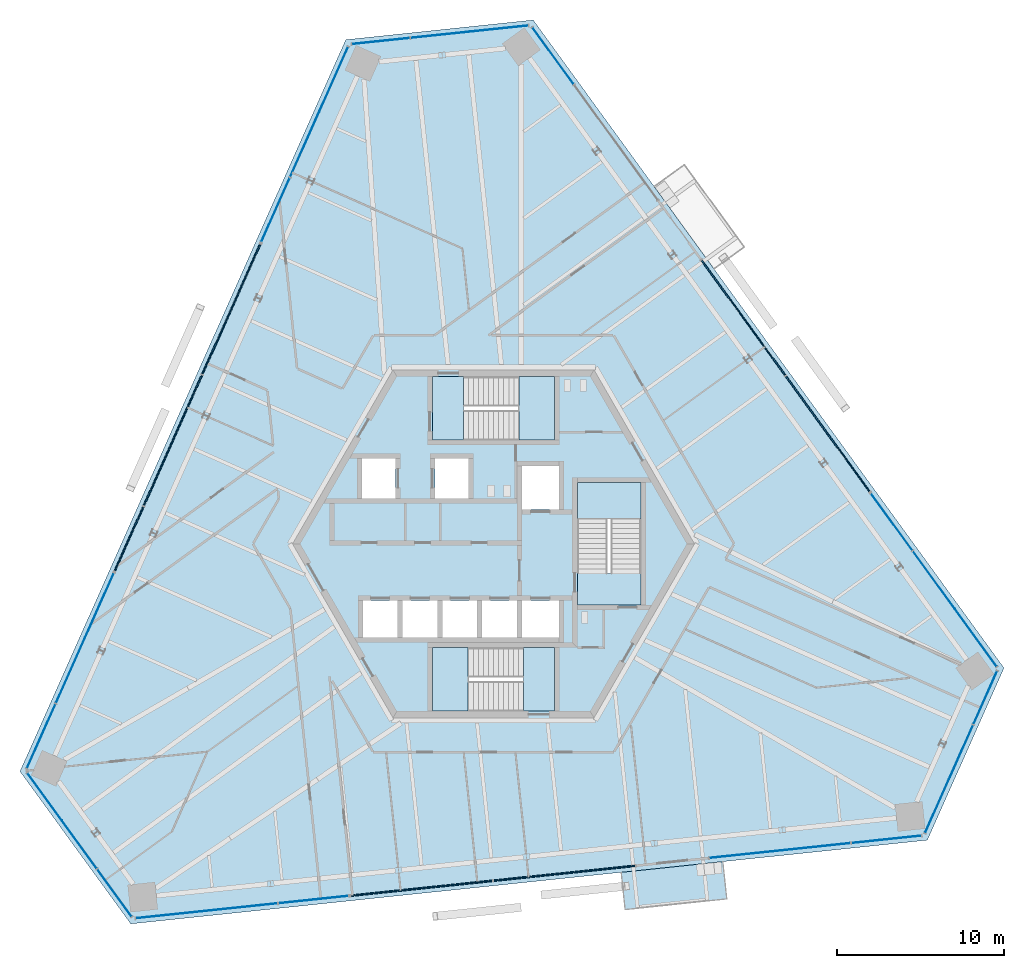
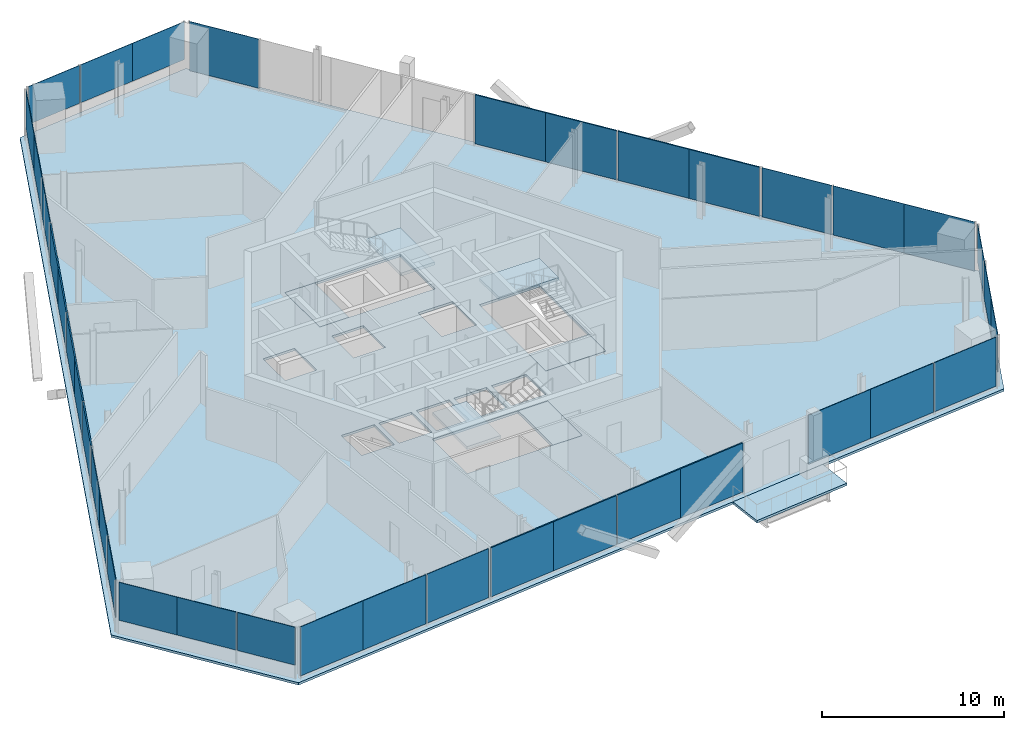
# One storey, part 10 of 18: 38 plates, 8 slabs, 15 elements without a shape of their own.
"""IFC4 building model written with IfcOpenShell, lengths in metres."""

import ifcopenshell
import ifcopenshell.guid

model = None  # the IFC model being written
_history = None  # IfcOwnerHistory: only IFC2X3 demands one
_inside = {}  # id of a spatial element -> (the spatial element, [elements in it])
_under = {}  # id of a project, library or spatial element -> (it, [spatial elements below it])
_declared = {}  # id of a project -> (the project, [libraries it declares])
_typed = {}  # id of a type object -> (the type object, [elements of that type])
_made_of = {}  # id of a material, layer set ... -> (it, [elements and type objects made of it])


def new_model(schema):
    """Start an empty IFC model of exactly this schema.

    Asked for "IFC4X3", IfcOpenShell would pick the latest addendum, in which some entities
    have other attributes; the version numbers below select the first issue.
    IFC2X3 requires an IfcOwnerHistory on every rooted entity: one is made here for all.
    """
    global model, _history
    if schema == "IFC4X3":
        model = ifcopenshell.file(schema_version=(4, 3, 0, 0))
    else:
        model = ifcopenshell.file(schema=schema)
    _inside.clear()
    _under.clear()
    _declared.clear()
    _typed.clear()
    _made_of.clear()
    _history = None
    if model.schema == "IFC2X3":
        org = make("IfcOrganization", Name="unknown")
        user = make(
            "IfcPersonAndOrganization",
            ThePerson=make("IfcPerson", FamilyName="unknown"),
            TheOrganization=org,
        )
        app = make(
            "IfcApplication",
            ApplicationDeveloper=org,
            Version="unknown",
            ApplicationFullName="unknown",
            ApplicationIdentifier="unknown",
        )
        _history = make(
            "IfcOwnerHistory",
            OwningUser=user,
            OwningApplication=app,
            ChangeAction="ADDED",
            CreationDate=0,
        )
    return model


def make(cls, **values):
    """One entity of the class cls with the attributes given. An attribute that is None is left unset."""
    return model.create_entity(
        cls, **{name: value for name, value in values.items() if value is not None}
    )


def rooted(cls, **values):
    """An entity with a GlobalId (a new one), such as an element, a storey or a relation."""
    return make(cls, GlobalId=ifcopenshell.guid.new(), OwnerHistory=_history, **values)


def si_unit(unit_type, name, prefix=None):
    """IfcSIUnit, for example si_unit("LENGTHUNIT", "METRE", prefix="MILLI")."""
    return make("IfcSIUnit", UnitType=unit_type, Prefix=prefix, Name=name)


def assignment(units):
    """IfcUnitAssignment: the units of a project."""
    return None if units is None else make("IfcUnitAssignment", Units=units)


def point(xyz):
    """IfcCartesianPoint."""
    return None if xyz is None else make("IfcCartesianPoint", Coordinates=xyz)


def direction(xyz):
    """IfcDirection."""
    return None if xyz is None else make("IfcDirection", DirectionRatios=xyz)


def frame(location, z_axis=None, x_axis=None):
    """IfcAxis2Placement3D, a coordinate frame: its origin and axes. An axis left out is left unset."""
    return make(
        "IfcAxis2Placement3D",
        Location=point(location),
        Axis=direction(z_axis),
        RefDirection=direction(x_axis),
    )


def frame_2d(location, x_axis=None):
    """IfcAxis2Placement2D, a coordinate frame in the plane: its origin and x axis."""
    return make(
        "IfcAxis2Placement2D", Location=point(location), RefDirection=direction(x_axis)
    )


def origin():
    """The frame at (0, 0, 0) with its axes left unset."""
    return frame((0.0, 0.0, 0.0))


def origin_2d():
    """The frame at (0, 0) in the plane with its x axis left unset."""
    return frame_2d((0.0, 0.0))


def place(relative_to, where):
    """IfcLocalPlacement: puts the frame where relative to a parent placement (None: the world)."""
    return make(
        "IfcLocalPlacement", PlacementRelTo=relative_to, RelativePlacement=where
    )


def context(
    kind, dimensions, precision=None, world=None, true_north=None, identifier=None
):
    """IfcGeometricRepresentationContext, for example the 3D "Model" context."""
    return make(
        "IfcGeometricRepresentationContext",
        ContextIdentifier=identifier,
        ContextType=kind,
        CoordinateSpaceDimension=dimensions,
        Precision=precision,
        WorldCoordinateSystem=world,
        TrueNorth=true_north,
    )


def subcontext(parent, identifier, kind, view, scale=None):
    """IfcGeometricRepresentationSubContext, for example "Body" below "Model"."""
    return make(
        "IfcGeometricRepresentationSubContext",
        ContextIdentifier=identifier,
        ContextType=kind,
        ParentContext=parent,
        TargetScale=scale,
        TargetView=view,
    )


def project(units=None, contexts=None):
    """IfcProject with its units and contexts."""
    return rooted(
        "IfcProject",
        Name="project",
        RepresentationContexts=contexts,
        UnitsInContext=assignment(units),
    )


def spatial(cls, under=None, at=None, **own):
    """A site, building, storey or space (cls), placed at a placement, below another one or the project."""
    s = rooted(cls, ObjectPlacement=at, **own)
    if under is not None:
        _under.setdefault(under.id(), (under, []))[1].append(s)
    return s


def polyline(points):
    """IfcPolyline through the points."""
    return make("IfcPolyline", Points=[point(p) for p in points])


def profile(cls, at=None, kind="AREA", **sizes):
    """A parametric profile (cls). Its sizes go by their IFC names, for example OverallWidth=200.0."""
    return make(cls, ProfileType=kind, Position=at, **sizes)


def rectangle(**sizes):
    """IfcRectangleProfileDef."""
    return profile("IfcRectangleProfileDef", **sizes)


def outline(outer, holes=None, kind="AREA"):
    """IfcArbitraryClosedProfileDef: a profile drawn as a closed curve; with holes, ...WithVoids."""
    if holes is None:
        return make("IfcArbitraryClosedProfileDef", ProfileType=kind, OuterCurve=outer)
    return make(
        "IfcArbitraryProfileDefWithVoids",
        ProfileType=kind,
        OuterCurve=outer,
        InnerCurves=holes,
    )


def extrude(swept, where, along, depth):
    """IfcExtrudedAreaSolid: the profile swept, set in the frame where, extruded along a direction by depth."""
    return make(
        "IfcExtrudedAreaSolid",
        SweptArea=swept,
        Position=where,
        ExtrudedDirection=direction(along),
        Depth=depth,
    )


def shape(context_of_items, identifier, shape_type, items):
    """IfcShapeRepresentation: the items that make up one representation, for example the "Body"."""
    return make(
        "IfcShapeRepresentation",
        ContextOfItems=context_of_items,
        RepresentationIdentifier=identifier,
        RepresentationType=shape_type,
        Items=items,
    )


def source(mapping_origin, context_of_items, identifier, shape_type, items):
    """IfcRepresentationMap: a shape defined once, which mapped items show again and again."""
    return make(
        "IfcRepresentationMap",
        MappingOrigin=mapping_origin,
        MappedRepresentation=shape(context_of_items, identifier, shape_type, items),
    )


def transform(
    local_origin,
    x_axis=None,
    y_axis=None,
    z_axis=None,
    scale=None,
    scale2=None,
    scale3=None,
    uniform=True,
):
    """IfcCartesianTransformationOperator3D, or its non-uniform kind. x_axis, y_axis, z_axis: its Axis1, 2, 3."""
    if uniform:
        return make(
            "IfcCartesianTransformationOperator3D",
            Axis1=direction(x_axis),
            Axis2=direction(y_axis),
            LocalOrigin=point(local_origin),
            Scale=scale,
            Axis3=direction(z_axis),
        )
    return make(
        "IfcCartesianTransformationOperator3DnonUniform",
        Axis1=direction(x_axis),
        Axis2=direction(y_axis),
        LocalOrigin=point(local_origin),
        Scale=scale,
        Axis3=direction(z_axis),
        Scale2=scale2,
        Scale3=scale3,
    )


def mapped(mapping_source, mapping_target):
    """IfcMappedItem: shows the shape of a source again, moved by a transform."""
    return make(
        "IfcMappedItem", MappingSource=mapping_source, MappingTarget=mapping_target
    )


def material(Name=None, Category=None):
    """IfcMaterial."""
    return make("IfcMaterial", Name=Name, Category=Category)


def layer(
    of_material, thickness, ventilated=None, Name=None, Category=None, Priority=None
):
    """IfcMaterialLayer: one layer of a wall or slab, of a material (None: an air gap)."""
    return make(
        "IfcMaterialLayer",
        Material=of_material,
        LayerThickness=thickness,
        IsVentilated=ventilated,
        Name=Name,
        Category=Category,
        Priority=Priority,
    )


def layer_set(layers, Name=None):
    """IfcMaterialLayerSet."""
    return make("IfcMaterialLayerSet", MaterialLayers=layers, LayerSetName=Name)


def made_of(thing, what):
    """Note that an element or type object is made of a material, layer set ...; save() writes the relation."""
    if what is not None:
        _made_of.setdefault(what.id(), (what, []))[1].append(thing)
    return thing


def type_object(cls, material=None, **own):
    """A type object (cls), such as IfcWallType, which elements share."""
    return made_of(rooted(cls, **own), material)


def element(
    cls,
    number,
    at=None,
    inside=None,
    cuts=None,
    type_object=None,
    material=None,
    context=None,
    identifier="Body",
    shape_type=None,
    held_by="IfcProductDefinitionShape",
    body=None,
    shapes=None,
    **own,
):
    """One element of the class cls, such as IfcWall. Its Tag is "e" and its number.

    at: its placement. inside: the storey or other place that contains it. cuts: it is an
    opening in that element (IfcRelVoidsElement). A single representation is given by context,
    identifier, shape_type and body (its items); several are given by shapes. held_by: the class
    of the entity that holds the representations. save() writes the other relations.
    """
    e = rooted(cls, Tag="e%d" % number, ObjectPlacement=at, **own)
    if body is not None:
        shapes = [shape(context, identifier, shape_type, body)]
    if shapes is not None:
        e.Representation = make(held_by, Representations=shapes)
    if inside is not None:
        _inside.setdefault(inside.id(), (inside, []))[1].append(e)
    if cuts is not None:
        rooted(
            "IfcRelVoidsElement", RelatingBuildingElement=cuts, RelatedOpeningElement=e
        )
    if type_object is not None:
        _typed.setdefault(type_object.id(), (type_object, []))[1].append(e)
    return made_of(e, material)


def aggregate(whole, parts):
    """IfcRelAggregates: a whole, such as a stair, and the parts it consists of."""
    return rooted("IfcRelAggregates", RelatingObject=whole, RelatedObjects=parts)


def save(model, path):
    """Write the relations noted so far, then the file.

    IfcRelAggregates (storeys below a building ...), IfcRelContainedInSpatialStructure (elements
    in a storey), IfcRelDefinesByType, IfcRelAssociatesMaterial and IfcRelDeclares: one each for
    every whole, place, type object, material and project.
    """
    for whole, parts in _under.values():
        aggregate(whole, parts)
    for where, things in _inside.values():
        rooted(
            "IfcRelContainedInSpatialStructure",
            RelatedElements=things,
            RelatingStructure=where,
        )
    for kind, things in _typed.values():
        rooted("IfcRelDefinesByType", RelatedObjects=things, RelatingType=kind)
    for what, things in _made_of.values():
        rooted("IfcRelAssociatesMaterial", RelatedObjects=things, RelatingMaterial=what)
    for by, libraries in _declared.values():
        rooted("IfcRelDeclares", RelatingContext=by, RelatedDefinitions=libraries)
    model.write(path)


model = new_model("IFC4")

# Units and contexts
model_context = context("Model", 3, precision=1e-05, world=origin(), true_north=direction((0.0, 1.0)))
body_context = subcontext(model_context, "Body", "Model", "MODEL_VIEW")
ifc_project = project(units=[si_unit("LENGTHUNIT", "METRE"), si_unit("AREAUNIT", "SQUARE_METRE"), si_unit("VOLUMEUNIT", "CUBIC_METRE"), si_unit("PLANEANGLEUNIT", "RADIAN"), si_unit("MASSUNIT", "GRAM", prefix="KILO")], contexts=[model_context])

# Site, building, storey
site_placement = place(None, origin())
site = spatial("IfcSite", under=ifc_project, at=site_placement, CompositionType="ELEMENT")
building_placement = place(site_placement, origin())
building = spatial("IfcBuilding", under=site, at=building_placement, Name="Triune Harvest Tower", CompositionType="ELEMENT")
storey_placement = place(building_placement, frame((0.0, 0.0, 237.699951171875)))
storey = spatial("IfcBuildingStorey", under=building, at=storey_placement, Name="L62", CompositionType="ELEMENT", Elevation=237.699951171875)

# Slabs
ifc_material_1 = material(Name="Concrete 40 MPa", Category="concrete")
ifc_layer_1 = layer(ifc_material_1, 0.159912109375)
ifc_layer_set_1 = layer_set([ifc_layer_1], Name="Concrete 40 MPa")
slab_type_1 = type_object("IfcSlabType", Name="BA-1 balcony slab 160", PredefinedType="FLOOR", material=ifc_layer_set_1)
slab_1_placement = place(storey_placement, frame((0.0, 0.0, -0.159912109375)))
element("IfcSlab", 1, at=slab_1_placement, inside=storey, type_object=slab_type_1, Name="Balcony slab B6-F5 L62.8", PredefinedType="FLOOR", context=body_context, shape_type="SweptSolid", body=[
    extrude(outline(polyline([(7.625244140625, -19.61376953125), (13.69140625, -18.976318359375), (13.9248046875, -21.198486328125), (7.858642578125, -21.836181640625), (7.625244140625, -19.61376953125)])), origin(), (0.0, 0.0, 1.0), 0.159912109375),
])
ifc_material_2 = material(Name="Concrete 40 MPa", Category="concrete")
ifc_layer_2 = layer(ifc_material_2, 0.159912109375)
ifc_layer_set_2 = layer_set([ifc_layer_2], Name="Concrete 40 MPa")
slab_type_2 = type_object("IfcSlabType", Name="SL-1 Composite floor slab 160", PredefinedType="FLOOR", material=ifc_layer_set_2)
shared_shape_1 = source(origin(), body_context, "Body", "SweptSolid", [
    extrude(outline(polyline([(30.481689453125, -7.412109375), (2.3701171875, 31.280517578125), (-8.82177734375, 30.10400390625), (-28.274658203125, -13.587646484375), (-21.659912109375, -22.69189453125), (25.904541015625, -17.692626953125), (30.481689453125, -7.412109375)]), holes=[polyline([(-5.72509765625, -5.590087890625), (-5.72509765625, -3.389892578125), (-7.800048828125, -3.389892578125), (-7.800048828125, -5.590087890625), (-5.72509765625, -5.590087890625)]), polyline([(-3.35009765625, -5.590087890625), (-3.35009765625, -3.389892578125), (-5.425048828125, -3.389892578125), (-5.425048828125, -5.590087890625), (-3.35009765625, -5.590087890625)]), polyline([(-0.97509765625, -5.590087890625), (-0.97509765625, -3.389892578125), (-3.050048828125, -3.389892578125), (-3.050048828125, -5.590087890625), (-0.97509765625, -5.590087890625)]), polyline([(1.39990234375, -5.590087890625), (1.39990234375, -3.389892578125), (-0.675048828125, -3.389892578125), (-0.675048828125, -5.590087890625), (1.39990234375, -5.590087890625)]), polyline([(3.89990234375, 2.06005859375), (3.89990234375, 4.659912109375), (1.699951171875, 4.659912109375), (1.699951171875, 2.06005859375), (3.89990234375, 2.06005859375)]), polyline([(3.89990234375, -5.590087890625), (3.89990234375, -3.389892578125), (1.699951171875, -3.389892578125), (1.699951171875, -5.590087890625), (3.89990234375, -5.590087890625)]), polyline([(-5.85009765625, 2.7099609375), (-5.85009765625, 5.110107421875), (-7.85009765625, 5.110107421875), (-7.85009765625, 2.7099609375), (-5.85009765625, 2.7099609375)]), polyline([(-1.5, 2.7099609375), (-1.5, 5.110107421875), (-3.5, 5.110107421875), (-3.5, 2.7099609375), (-1.5, 2.7099609375)]), polyline([(3.64990234375, 6.18994140625), (3.64990234375, 9.989990234375), (-3.64990234375, 9.989990234375), (-3.64990234375, 6.18994140625), (3.64990234375, 6.18994140625)]), polyline([(3.64990234375, -9.989990234375), (3.64990234375, -6.18994140625), (-3.64990234375, -6.18994140625), (-3.64990234375, -9.989990234375), (3.64990234375, -9.989990234375)]), polyline([(8.800048828125, -3.64990234375), (8.800048828125, 3.64990234375), (5.0, 3.64990234375), (5.0, -3.64990234375), (8.800048828125, -3.64990234375)])]), origin(), (0.0, 0.0, 1.0), 0.159912109375),
])
slab_2_placement = place(storey_placement, frame((0.0, 0.0, -0.159912109375)))
element("IfcSlab", 2, at=slab_2_placement, inside=storey, type_object=slab_type_2, Name="slab/L62/1", PredefinedType="FLOOR", context=body_context, shape_type="MappedRepresentation", body=[
    mapped(shared_shape_1, transform((0.0, 0.0, 0.0), scale=1.0)),
])

# Stair, slabs
ifc_material_3 = material(Name="Concrete 40 MPa", Category="concrete")
stair_type = type_object("IfcStairType", Name="Exit stair 1800 half turn", PredefinedType="HALF_TURN_STAIR", material=ifc_material_3)
stair_1_placement = place(storey_placement, origin())
stair_1 = element("IfcStair", 3, at=stair_1_placement, inside=storey, type_object=stair_type, Name="Exit stair north", PredefinedType="HALF_TURN_STAIR")
ifc_material_4 = material(Name="Concrete 40 MPa", Category="concrete")
ifc_layer_3 = layer(ifc_material_4, 0.199951171875)
ifc_layer_set_3 = layer_set([ifc_layer_3], Name="Concrete 40 MPa")
slab_type_3 = type_object("IfcSlabType", Name="Stair landing 200", PredefinedType="LANDING", material=ifc_layer_set_3)
shared_shape_2 = source(origin(), body_context, "Body", "SweptSolid", [
    extrude(outline(polyline([(1.510009765625, 6.18994140625), (3.64990234375, 6.18994140625), (3.64990234375, 9.989990234375), (1.510009765625, 9.989990234375), (1.510009765625, 6.18994140625)])), origin(), (0.0, 0.0, 1.0), 0.199951171875),
])
slab_3_placement = place(storey_placement, frame((0.0, 0.0, 1.60009765625)))
slab_3 = element("IfcSlab", 4, at=slab_3_placement, type_object=slab_type_3, Name="ST-1 landing 2", PredefinedType="LANDING", context=body_context, shape_type="MappedRepresentation", body=[
    mapped(shared_shape_2, transform((0.0, 0.0, 0.0), scale=1.0)),
])
shared_shape_3 = source(origin(), body_context, "Body", "SweptSolid", [
    extrude(outline(polyline([(-3.64990234375, 6.18994140625), (-1.780029296875, 6.18994140625), (-1.780029296875, 9.989990234375), (-3.64990234375, 9.989990234375), (-3.64990234375, 6.18994140625)])), origin(), (0.0, 0.0, 1.0), 0.199951171875),
])
slab_4_placement = place(storey_placement, frame((0.0, 0.0, -0.199951171875)))
slab_4 = element("IfcSlab", 5, at=slab_4_placement, type_object=slab_type_3, Name="ST-1 landing 1", PredefinedType="LANDING", context=body_context, shape_type="MappedRepresentation", body=[
    mapped(shared_shape_3, transform((0.0, 0.0, 0.0), scale=1.0)),
])
aggregate(stair_1, [slab_4, slab_3])

stair_2_placement = place(storey_placement, origin())
stair_2 = element("IfcStair", 6, at=stair_2_placement, inside=storey, type_object=stair_type, Name="Exit stair south", PredefinedType="HALF_TURN_STAIR")
shared_shape_4 = source(origin(), body_context, "Body", "SweptSolid", [
    extrude(outline(polyline([(-1.510009765625, -6.18994140625), (-3.64990234375, -6.18994140625), (-3.64990234375, -9.989990234375), (-1.510009765625, -9.989990234375), (-1.510009765625, -6.18994140625)])), origin(), (0.0, 0.0, 1.0), 0.199951171875),
])
slab_5_placement = place(storey_placement, frame((0.0, 0.0, 1.60009765625)))
slab_5 = element("IfcSlab", 7, at=slab_5_placement, type_object=slab_type_3, Name="ST-2 landing 2", PredefinedType="LANDING", context=body_context, shape_type="MappedRepresentation", body=[
    mapped(shared_shape_4, transform((0.0, 0.0, 0.0), scale=1.0)),
])
shared_shape_5 = source(origin(), body_context, "Body", "SweptSolid", [
    extrude(outline(polyline([(3.64990234375, -6.18994140625), (1.780029296875, -6.18994140625), (1.780029296875, -9.989990234375), (3.64990234375, -9.989990234375), (3.64990234375, -6.18994140625)])), origin(), (0.0, 0.0, 1.0), 0.199951171875),
])
slab_6_placement = place(storey_placement, frame((0.0, 0.0, -0.199951171875)))
slab_6 = element("IfcSlab", 8, at=slab_6_placement, type_object=slab_type_3, Name="ST-2 landing 1", PredefinedType="LANDING", context=body_context, shape_type="MappedRepresentation", body=[
    mapped(shared_shape_5, transform((0.0, 0.0, 0.0), scale=1.0)),
])
aggregate(stair_2, [slab_6, slab_5])

stair_3_placement = place(storey_placement, origin())
stair_3 = element("IfcStair", 9, at=stair_3_placement, inside=storey, type_object=stair_type, Name="Exit stair east", PredefinedType="HALF_TURN_STAIR")
shared_shape_6 = source(origin(), body_context, "Body", "SweptSolid", [
    extrude(outline(polyline([(8.800048828125, 1.510009765625), (8.800048828125, 3.64990234375), (5.0, 3.64990234375), (5.0, 1.510009765625), (8.800048828125, 1.510009765625)])), origin(), (0.0, 0.0, 1.0), 0.199951171875),
])
slab_7_placement = place(storey_placement, frame((0.0, 0.0, 1.60009765625)))
slab_7 = element("IfcSlab", 10, at=slab_7_placement, type_object=slab_type_3, Name="ST-3 landing 2", PredefinedType="LANDING", context=body_context, shape_type="MappedRepresentation", body=[
    mapped(shared_shape_6, transform((0.0, 0.0, 0.0), scale=1.0)),
])
shared_shape_7 = source(origin(), body_context, "Body", "SweptSolid", [
    extrude(outline(polyline([(8.800048828125, -3.64990234375), (8.800048828125, -1.780029296875), (5.0, -1.780029296875), (5.0, -3.64990234375), (8.800048828125, -3.64990234375)])), origin(), (0.0, 0.0, 1.0), 0.199951171875),
])
slab_8_placement = place(storey_placement, frame((0.0, 0.0, -0.199951171875)))
slab_8 = element("IfcSlab", 11, at=slab_8_placement, type_object=slab_type_3, Name="ST-3 landing 1", PredefinedType="LANDING", context=body_context, shape_type="MappedRepresentation", body=[
    mapped(shared_shape_7, transform((0.0, 0.0, 0.0), scale=1.0)),
])
aggregate(stair_3, [slab_8, slab_7])

# Curtain wall, plate
ifc_material_5 = material(Name="Aluminium bronze anodised", Category="aluminium")
curtain_wall_type_1 = type_object("IfcCurtainWallType", Name="CW-1 Tower stick curtain wall", PredefinedType="NOTDEFINED", material=ifc_material_5)
curtain_wall_1_placement = place(storey_placement, origin())
curtain_wall_1 = element("IfcCurtainWall", 12, at=curtain_wall_1_placement, inside=storey, type_object=curtain_wall_type_1, Name="CW-1 B6-F2 L62 run 1")
ifc_material_6 = material(Name="Glass", Category="glass")
ifc_layer_4 = layer(ifc_material_6, 0.031982421875)
ifc_layer_set_4 = layer_set([ifc_layer_4], Name="Glass")
plate_type_1 = type_object("IfcPlateType", Name="GL-1 panel 32", PredefinedType="CURTAIN_PANEL", material=ifc_layer_set_4)
shared_shape_8 = source(origin(), body_context, "Body", "SweptSolid", [
    extrude(rectangle(XDim=3.500732421875, YDim=0.031982421875, at=origin_2d()), origin(), (0.0, 0.0, 1.0), 2.5400390625),
])
plate_1_placement = place(storey_placement, frame((0.32421875, 30.763671875, 0.900146484375), z_axis=(0.0, 0.0, 1.0), x_axis=(-0.994521768229, -0.104529672907, 0.0)))
plate_1 = element("IfcPlate", 13, at=plate_1_placement, type_object=plate_type_1, Name="CW-1 panel B6-F2 1.1", PredefinedType="CURTAIN_PANEL", context=body_context, shape_type="MappedRepresentation", body=[
    mapped(shared_shape_8, transform((0.0, 0.0, 0.0), scale=1.0)),
])

curtain_wall_2_placement = place(storey_placement, origin())
curtain_wall_2 = element("IfcCurtainWall", 14, at=curtain_wall_2_placement, inside=storey, type_object=curtain_wall_type_1, Name="CW-1 B6-F4 L62 run 1")
plate_2_placement = place(storey_placement, frame((-26.80419921875, -15.10107421875, 0.900146484375), z_axis=(0.0, 0.0, 1.0), x_axis=(0.587788936013, -0.809014317982, 0.0)))
plate_2 = element("IfcPlate", 15, at=plate_2_placement, type_object=plate_type_1, Name="CW-1 panel B6-F4 1.1", PredefinedType="CURTAIN_PANEL", context=body_context, shape_type="MappedRepresentation", body=[
    mapped(shared_shape_8, transform((0.0, 0.0, 0.0), scale=1.0)),
])

curtain_wall_3_placement = place(storey_placement, origin())
curtain_wall_3 = element("IfcCurtainWall", 16, at=curtain_wall_3_placement, inside=storey, type_object=curtain_wall_type_1, Name="CW-1 B6-F6 L62 run 1")
plate_3_placement = place(storey_placement, frame((26.47998046875, -15.66259765625, 0.900146484375), z_axis=(0.0, 0.0, 1.0), x_axis=(0.406743216086, 0.913542531121, 0.0)))
plate_3 = element("IfcPlate", 17, at=plate_3_placement, type_object=plate_type_1, Name="CW-1 panel B6-F6 1.1", PredefinedType="CURTAIN_PANEL", context=body_context, shape_type="MappedRepresentation", body=[
    mapped(shared_shape_8, transform((0.0, 0.0, 0.0), scale=1.0)),
])

# Plate
shared_shape_9 = source(origin(), body_context, "Body", "SweptSolid", [
    extrude(rectangle(XDim=3.5380859375, YDim=0.031982421875, at=origin_2d()), origin(), (0.0, 0.0, 1.0), 2.5400390625),
])
plate_4_placement = place(storey_placement, frame((-3.17578125, 30.395751953125, 0.900146484375), z_axis=(0.0, 0.0, 1.0), x_axis=(-0.994521768229, -0.104529672907, 0.0)))
plate_4 = element("IfcPlate", 18, at=plate_4_placement, type_object=plate_type_1, Name="CW-1 panel B6-F2 1.2", PredefinedType="CURTAIN_PANEL", context=body_context, shape_type="MappedRepresentation", body=[
    mapped(shared_shape_9, transform((0.0, 0.0, 0.0), scale=1.0)),
])

plate_5_placement = place(storey_placement, frame((-24.735595703125, -17.9482421875, 0.900146484375), z_axis=(0.0, 0.0, 1.0), x_axis=(0.587788936013, -0.809014317982, 0.0)))
plate_5 = element("IfcPlate", 19, at=plate_5_placement, type_object=plate_type_1, Name="CW-1 panel B6-F4 1.2", PredefinedType="CURTAIN_PANEL", context=body_context, shape_type="MappedRepresentation", body=[
    mapped(shared_shape_9, transform((0.0, 0.0, 0.0), scale=1.0)),
])

plate_6_placement = place(storey_placement, frame((27.91162109375, -12.447509765625, 0.900146484375), z_axis=(0.0, 0.0, 1.0), x_axis=(0.406743216086, 0.913542531121, 0.0)))
plate_6 = element("IfcPlate", 20, at=plate_6_placement, type_object=plate_type_1, Name="CW-1 panel B6-F6 1.2", PredefinedType="CURTAIN_PANEL", context=body_context, shape_type="MappedRepresentation", body=[
    mapped(shared_shape_9, transform((0.0, 0.0, 0.0), scale=1.0)),
])

shared_shape_10 = source(origin(), body_context, "Body", "SweptSolid", [
    extrude(rectangle(XDim=3.463134765625, YDim=0.031982421875, at=origin_2d()), origin(), (0.0, 0.0, 1.0), 2.5400390625),
])
plate_7_placement = place(storey_placement, frame((-6.73193359375, 30.02197265625, 0.900146484375), z_axis=(0.0, 0.0, 1.0), x_axis=(-0.994521768229, -0.104529672907, 0.0)))
plate_7 = element("IfcPlate", 21, at=plate_7_placement, type_object=plate_type_1, Name="CW-1 panel B6-F2 1.3", PredefinedType="CURTAIN_PANEL", context=body_context, shape_type="MappedRepresentation", body=[
    mapped(shared_shape_10, transform((0.0, 0.0, 0.0), scale=1.0)),
])

aggregate(curtain_wall_1, [plate_1, plate_4, plate_7])

plate_8_placement = place(storey_placement, frame((-22.6337890625, -20.841064453125, 0.900146484375), z_axis=(0.0, 0.0, 1.0), x_axis=(0.587788936013, -0.809014317982, 0.0)))
plate_8 = element("IfcPlate", 22, at=plate_8_placement, type_object=plate_type_1, Name="CW-1 panel B6-F4 1.3", PredefinedType="CURTAIN_PANEL", context=body_context, shape_type="MappedRepresentation", body=[
    mapped(shared_shape_10, transform((0.0, 0.0, 0.0), scale=1.0)),
])

aggregate(curtain_wall_2, [plate_2, plate_5, plate_8])

plate_9_placement = place(storey_placement, frame((29.365966796875, -9.180908203125, 0.900146484375), z_axis=(0.0, 0.0, 1.0), x_axis=(0.406743216086, 0.913542531121, 0.0)))
plate_9 = element("IfcPlate", 23, at=plate_9_placement, type_object=plate_type_1, Name="CW-1 panel B6-F6 1.3", PredefinedType="CURTAIN_PANEL", context=body_context, shape_type="MappedRepresentation", body=[
    mapped(shared_shape_10, transform((0.0, 0.0, 0.0), scale=1.0)),
])

aggregate(curtain_wall_3, [plate_3, plate_6, plate_9])

# Curtain wall, plate
ifc_material_7 = material(Name="Aluminium bronze anodised", Category="aluminium")
curtain_wall_type_2 = type_object("IfcCurtainWallType", Name="CW-6 Balcony window wall", PredefinedType="NOTDEFINED", material=ifc_material_7)
curtain_wall_4_placement = place(storey_placement, origin())
curtain_wall_4 = element("IfcCurtainWall", 24, at=curtain_wall_4_placement, inside=storey, type_object=curtain_wall_type_2, Name="CW-6 B6-F1 L62 run 1")
ifc_material_8 = material(Name="Glass", Category="glass")
ifc_layer_5 = layer(ifc_material_8, 0.030029296875)
ifc_layer_set_5 = layer_set([ifc_layer_5], Name="Glass")
plate_type_2 = type_object("IfcPlateType", Name="GL-6 panel 30", PredefinedType="CURTAIN_PANEL", material=ifc_layer_set_5)
shared_shape_11 = source(origin(), body_context, "Body", "SweptSolid", [
    extrude(rectangle(XDim=4.228515625, YDim=0.030029296875, at=origin_2d()), origin(), (0.0, 0.0, 1.0), 3.2900390625),
])
plate_10_placement = place(storey_placement, frame((28.797607421875, -5.6044921875, 0.150146484375), z_axis=(0.0, 0.0, 1.0), x_axis=(-0.587787462383, 0.809015388646, 0.0)))
plate_10 = element("IfcPlate", 25, at=plate_10_placement, type_object=plate_type_2, Name="CW-6 panel B6-F1 1.1", PredefinedType="CURTAIN_PANEL", context=body_context, shape_type="MappedRepresentation", body=[
    mapped(shared_shape_11, transform((0.0, 0.0, 0.0), scale=1.0)),
])

curtain_wall_5_placement = place(storey_placement, origin())
curtain_wall_5 = element("IfcCurtainWall", 26, at=curtain_wall_5_placement, inside=storey, type_object=curtain_wall_type_2, Name="CW-6 B6-F5 L62 run 1")
plate_11_placement = place(storey_placement, frame((-19.252197265625, -22.13720703125, 0.150146484375), z_axis=(0.0, 0.0, 1.0), x_axis=(0.994522175793, 0.104525795166, 0.0)))
plate_11 = element("IfcPlate", 27, at=plate_11_placement, type_object=plate_type_2, Name="CW-6 panel B6-F5 1.1", PredefinedType="CURTAIN_PANEL", context=body_context, shape_type="MappedRepresentation", body=[
    mapped(shared_shape_11, transform((0.0, 0.0, 0.0), scale=1.0)),
])

# Plate
shared_shape_12 = source(origin(), body_context, "Body", "SweptSolid", [
    extrude(rectangle(XDim=4.26611328125, YDim=0.030029296875, at=origin_2d()), origin(), (0.0, 0.0, 1.0), 3.2900390625),
])
plate_12_placement = place(storey_placement, frame((26.301025390625, -2.168212890625, 0.150146484375), z_axis=(0.0, 0.0, 1.0), x_axis=(-0.587787462383, 0.809015388646, 0.0)))
plate_12 = element("IfcPlate", 28, at=plate_12_placement, type_object=plate_type_2, Name="CW-6 panel B6-F1 1.2", PredefinedType="CURTAIN_PANEL", context=body_context, shape_type="MappedRepresentation", body=[
    mapped(shared_shape_12, transform((0.0, 0.0, 0.0), scale=1.0)),
])

plate_13_placement = place(storey_placement, frame((-15.0283203125, -21.693115234375, 0.150146484375), z_axis=(0.0, 0.0, 1.0), x_axis=(0.994522175793, 0.104525795166, 0.0)))
plate_13 = element("IfcPlate", 29, at=plate_13_placement, type_object=plate_type_2, Name="CW-6 panel B6-F5 1.2", PredefinedType="CURTAIN_PANEL", context=body_context, shape_type="MappedRepresentation", body=[
    mapped(shared_shape_12, transform((0.0, 0.0, 0.0), scale=1.0)),
])

shared_shape_13 = source(origin(), body_context, "Body", "SweptSolid", [
    extrude(rectangle(XDim=4.19091796875, YDim=0.030029296875, at=origin_2d()), origin(), (0.0, 0.0, 1.0), 3.2900390625),
])
plate_14_placement = place(storey_placement, frame((23.771484375, 1.313232421875, 0.150146484375), z_axis=(0.0, 0.0, 1.0), x_axis=(-0.587787462383, 0.809015388646, 0.0)))
plate_14 = element("IfcPlate", 30, at=plate_14_placement, type_object=plate_type_2, Name="CW-6 panel B6-F1 1.3", PredefinedType="CURTAIN_PANEL", context=body_context, shape_type="MappedRepresentation", body=[
    mapped(shared_shape_13, transform((0.0, 0.0, 0.0), scale=1.0)),
])

aggregate(curtain_wall_4, [plate_10, plate_12, plate_14])

plate_15_placement = place(storey_placement, frame((-10.748291015625, -21.243408203125, 0.150146484375), z_axis=(0.0, 0.0, 1.0), x_axis=(0.994522175793, 0.104525795166, 0.0)))
plate_15 = element("IfcPlate", 31, at=plate_15_placement, type_object=plate_type_2, Name="CW-6 panel B6-F5 1.3", PredefinedType="CURTAIN_PANEL", context=body_context, shape_type="MappedRepresentation", body=[
    mapped(shared_shape_13, transform((0.0, 0.0, 0.0), scale=1.0)),
])

aggregate(curtain_wall_5, [plate_11, plate_13, plate_15])

# Curtain wall, plates
ifc_material_9 = material(Name="Aluminium bronze anodised", Category="aluminium")
curtain_wall_type_3 = type_object("IfcCurtainWallType", Name="CW-10 Balcony window wall with insulated spandrel infill", PredefinedType="NOTDEFINED", material=ifc_material_9)
curtain_wall_6_placement = place(storey_placement, origin())
curtain_wall_6 = element("IfcCurtainWall", 32, at=curtain_wall_6_placement, inside=storey, type_object=curtain_wall_type_3, Name="CW-10 B6-F1 L62 run 1001")
ifc_material_10 = material(Name="Insulated spandrel panel, bronze aluminium pan", Category="aluminium")
ifc_layer_6 = layer(ifc_material_10, 0.080078125)
ifc_layer_set_6 = layer_set([ifc_layer_6], Name="Insulated spandrel panel, bronze aluminium pan")
plate_type_3 = type_object("IfcPlateType", Name="SP-1 insulated spandrel panel 80", PredefinedType="CURTAIN_PANEL", material=ifc_layer_set_6)
shared_shape_14 = source(origin(), body_context, "Body", "SweptSolid", [
    extrude(rectangle(XDim=4.228515625, YDim=0.080078125, at=origin_2d()), origin(), (0.0, 0.0, 1.0), 3.2900390625),
])
plate_16_placement = place(storey_placement, frame((21.208984375, 4.84033203125, 0.150146484375), z_axis=(0.0, 0.0, 1.0), x_axis=(-0.587784329309, 0.809017664961, 0.0)))
plate_16 = element("IfcPlate", 33, at=plate_16_placement, type_object=plate_type_3, Name="CW-10 panel B6-F1 1001.1", PredefinedType="CURTAIN_PANEL", context=body_context, shape_type="MappedRepresentation", body=[
    mapped(shared_shape_14, transform((0.0, 0.0, 0.0), scale=1.0)),
])
plate_17_placement = place(storey_placement, frame((13.664306640625, 15.224609375, 0.150146484375), z_axis=(0.0, 0.0, 1.0), x_axis=(-0.587784329309, 0.809017664961, 0.0)))
plate_17 = element("IfcPlate", 34, at=plate_17_placement, type_object=plate_type_3, Name="CW-10 panel B6-F1 1001.4", PredefinedType="CURTAIN_PANEL", context=body_context, shape_type="MappedRepresentation", body=[
    mapped(shared_shape_14, transform((0.0, 0.0, 0.0), scale=1.0)),
])

curtain_wall_7_placement = place(storey_placement, origin())
curtain_wall_7 = element("IfcCurtainWall", 35, at=curtain_wall_7_placement, inside=storey, type_object=curtain_wall_type_3, Name="CW-10 B6-F5 L62 run 1001")
plate_18_placement = place(storey_placement, frame((-6.412353515625, -20.78759765625, 0.150146484375), z_axis=(0.0, 0.0, 1.0), x_axis=(0.994521426403, 0.104532925076, 0.0)))
plate_18 = element("IfcPlate", 36, at=plate_18_placement, type_object=plate_type_3, Name="CW-10 panel B6-F5 1001.1", PredefinedType="CURTAIN_PANEL", context=body_context, shape_type="MappedRepresentation", body=[
    mapped(shared_shape_14, transform((0.0, 0.0, 0.0), scale=1.0)),
])
plate_19_placement = place(storey_placement, frame((6.352783203125, -19.44580078125, 0.150146484375), z_axis=(0.0, 0.0, 1.0), x_axis=(0.994521426403, 0.104532925076, 0.0)))
plate_19 = element("IfcPlate", 37, at=plate_19_placement, type_object=plate_type_3, Name="CW-10 panel B6-F5 1001.4", PredefinedType="CURTAIN_PANEL", context=body_context, shape_type="MappedRepresentation", body=[
    mapped(shared_shape_14, transform((0.0, 0.0, 0.0), scale=1.0)),
])

# Plate
shared_shape_15 = source(origin(), body_context, "Body", "SweptSolid", [
    extrude(rectangle(XDim=4.26611328125, YDim=0.080078125, at=origin_2d()), origin(), (0.0, 0.0, 1.0), 3.2900390625),
])
plate_20_placement = place(storey_placement, frame((18.71240234375, 8.276611328125, 0.150146484375), z_axis=(0.0, 0.0, 1.0), x_axis=(-0.587784329309, 0.809017664961, 0.0)))
plate_20 = element("IfcPlate", 38, at=plate_20_placement, type_object=plate_type_3, Name="CW-10 panel B6-F1 1001.2", PredefinedType="CURTAIN_PANEL", context=body_context, shape_type="MappedRepresentation", body=[
    mapped(shared_shape_15, transform((0.0, 0.0, 0.0), scale=1.0)),
])

plate_21_placement = place(storey_placement, frame((16.160888671875, 11.78857421875, 0.150146484375), z_axis=(0.0, 0.0, 1.0), x_axis=(-0.587784329309, 0.809017664961, 0.0)))
plate_21 = element("IfcPlate", 39, at=plate_21_placement, type_object=plate_type_3, Name="CW-10 panel B6-F1 1001.3", PredefinedType="CURTAIN_PANEL", context=body_context, shape_type="MappedRepresentation", body=[
    mapped(shared_shape_15, transform((0.0, 0.0, 0.0), scale=1.0)),
])

aggregate(curtain_wall_6, [plate_16, plate_20, plate_21, plate_17])

plate_22_placement = place(storey_placement, frame((-2.1884765625, -20.34375, 0.150146484375), z_axis=(0.0, 0.0, 1.0), x_axis=(0.994521426403, 0.104532925076, 0.0)))
plate_22 = element("IfcPlate", 40, at=plate_22_placement, type_object=plate_type_3, Name="CW-10 panel B6-F5 1001.2", PredefinedType="CURTAIN_PANEL", context=body_context, shape_type="MappedRepresentation", body=[
    mapped(shared_shape_15, transform((0.0, 0.0, 0.0), scale=1.0)),
])

plate_23_placement = place(storey_placement, frame((2.12890625, -19.889892578125, 0.150146484375), z_axis=(0.0, 0.0, 1.0), x_axis=(0.994521426403, 0.104532925076, 0.0)))
plate_23 = element("IfcPlate", 41, at=plate_23_placement, type_object=plate_type_3, Name="CW-10 panel B6-F5 1001.3", PredefinedType="CURTAIN_PANEL", context=body_context, shape_type="MappedRepresentation", body=[
    mapped(shared_shape_15, transform((0.0, 0.0, 0.0), scale=1.0)),
])

aggregate(curtain_wall_7, [plate_18, plate_22, plate_23, plate_19])

# Curtain wall, plates
ifc_material_11 = material(Name="Aluminium bronze anodised", Category="aluminium")
curtain_wall_type_4 = type_object("IfcCurtainWallType", Name="CW-7 Tower stick curtain wall with insulated spandrel infill", PredefinedType="NOTDEFINED", material=ifc_material_11)
curtain_wall_8_placement = place(storey_placement, origin())
curtain_wall_8 = element("IfcCurtainWall", 42, at=curtain_wall_8_placement, inside=storey, type_object=curtain_wall_type_4, Name="CW-7 B6-F3 L62 run 1001")
shared_shape_16 = source(origin(), body_context, "Body", "SweptSolid", [
    extrude(rectangle(XDim=4.22509765625, YDim=0.080078125, at=origin_2d()), origin(), (0.0, 0.0, 1.0), 2.5400390625),
])
plate_24_placement = place(storey_placement, frame((-14.791259765625, 15.95849609375, 0.900146484375), z_axis=(0.0, 0.0, 1.0), x_axis=(-0.406741682385, -0.913543213981, 0.0)))
plate_24 = element("IfcPlate", 43, at=plate_24_placement, type_object=plate_type_3, Name="CW-7 panel B6-F3 1001.1", PredefinedType="CURTAIN_PANEL", context=body_context, shape_type="MappedRepresentation", body=[
    mapped(shared_shape_16, transform((0.0, 0.0, 0.0), scale=1.0)),
])
shared_shape_17 = source(origin(), body_context, "Body", "SweptSolid", [
    extrude(rectangle(XDim=4.262451171875, YDim=0.080078125, at=origin_2d()), origin(), (0.0, 0.0, 1.0), 2.5400390625),
])
plate_25_placement = place(storey_placement, frame((-16.517578125, 12.08154296875, 0.900146484375), z_axis=(0.0, 0.0, 1.0), x_axis=(-0.406741682385, -0.913543213981, 0.0)))
plate_25 = element("IfcPlate", 44, at=plate_25_placement, type_object=plate_type_3, Name="CW-7 panel B6-F3 1001.2", PredefinedType="CURTAIN_PANEL", context=body_context, shape_type="MappedRepresentation", body=[
    mapped(shared_shape_17, transform((0.0, 0.0, 0.0), scale=1.0)),
])
plate_26_placement = place(storey_placement, frame((-18.28173828125, 8.119140625, 0.900146484375), z_axis=(0.0, 0.0, 1.0), x_axis=(-0.406741682385, -0.913543213981, 0.0)))
plate_26 = element("IfcPlate", 45, at=plate_26_placement, type_object=plate_type_3, Name="CW-7 panel B6-F3 1001.3", PredefinedType="CURTAIN_PANEL", context=body_context, shape_type="MappedRepresentation", body=[
    mapped(shared_shape_17, transform((0.0, 0.0, 0.0), scale=1.0)),
])
plate_27_placement = place(storey_placement, frame((-20.015380859375, 4.22509765625, 0.900146484375), z_axis=(0.0, 0.0, 1.0), x_axis=(-0.406741682385, -0.913543213981, 0.0)))
plate_27 = element("IfcPlate", 46, at=plate_27_placement, type_object=plate_type_3, Name="CW-7 panel B6-F3 1001.4", PredefinedType="CURTAIN_PANEL", context=body_context, shape_type="MappedRepresentation", body=[
    mapped(shared_shape_17, transform((0.0, 0.0, 0.0), scale=1.0)),
])

# Curtain wall, plate
curtain_wall_9_placement = place(storey_placement, origin())
curtain_wall_9 = element("IfcCurtainWall", 47, at=curtain_wall_9_placement, inside=storey, type_object=curtain_wall_type_1, Name="CW-1 B6-F3 L62 run 1")
shared_shape_18 = source(origin(), body_context, "Body", "SweptSolid", [
    extrude(rectangle(XDim=4.22509765625, YDim=0.031982421875, at=origin_2d()), origin(), (0.0, 0.0, 1.0), 2.5400390625),
])
plate_28_placement = place(storey_placement, frame((-9.54443359375, 27.7431640625, 0.900146484375), z_axis=(0.0, 0.0, 1.0), x_axis=(-0.406734770456, -0.913546291384, 0.0)))
plate_28 = element("IfcPlate", 48, at=plate_28_placement, type_object=plate_type_1, Name="CW-1 panel B6-F3 1.1", PredefinedType="CURTAIN_PANEL", context=body_context, shape_type="MappedRepresentation", body=[
    mapped(shared_shape_18, transform((0.0, 0.0, 0.0), scale=1.0)),
])

curtain_wall_10_placement = place(storey_placement, origin())
curtain_wall_10 = element("IfcCurtainWall", 49, at=curtain_wall_10_placement, inside=storey, type_object=curtain_wall_type_1, Name="CW-1 B6-F3 L62 run 2001")
plate_29_placement = place(storey_placement, frame((-23.536376953125, -3.682861328125, 0.900146484375), z_axis=(0.0, 0.0, 1.0), x_axis=(-0.406734770456, -0.913546291384, 0.0)))
plate_29 = element("IfcPlate", 50, at=plate_29_placement, type_object=plate_type_1, Name="CW-1 panel B6-F3 2001.1", PredefinedType="CURTAIN_PANEL", context=body_context, shape_type="MappedRepresentation", body=[
    mapped(shared_shape_18, transform((0.0, 0.0, 0.0), scale=1.0)),
])

# Plate
shared_shape_19 = source(origin(), body_context, "Body", "SweptSolid", [
    extrude(rectangle(XDim=4.262451171875, YDim=0.031982421875, at=origin_2d()), origin(), (0.0, 0.0, 1.0), 2.5400390625),
])
plate_30_placement = place(storey_placement, frame((-11.2705078125, 23.8662109375, 0.900146484375), z_axis=(0.0, 0.0, 1.0), x_axis=(-0.406734770456, -0.913546291384, 0.0)))
plate_30 = element("IfcPlate", 51, at=plate_30_placement, type_object=plate_type_1, Name="CW-1 panel B6-F3 1.2", PredefinedType="CURTAIN_PANEL", context=body_context, shape_type="MappedRepresentation", body=[
    mapped(shared_shape_19, transform((0.0, 0.0, 0.0), scale=1.0)),
])

plate_31_placement = place(storey_placement, frame((-25.262451171875, -7.559814453125, 0.900146484375), z_axis=(0.0, 0.0, 1.0), x_axis=(-0.406734770456, -0.913546291384, 0.0)))
plate_31 = element("IfcPlate", 52, at=plate_31_placement, type_object=plate_type_1, Name="CW-1 panel B6-F3 2001.2", PredefinedType="CURTAIN_PANEL", context=body_context, shape_type="MappedRepresentation", body=[
    mapped(shared_shape_19, transform((0.0, 0.0, 0.0), scale=1.0)),
])

shared_shape_20 = source(origin(), body_context, "Body", "SweptSolid", [
    extrude(rectangle(XDim=4.1875, YDim=0.031982421875, at=origin_2d()), origin(), (0.0, 0.0, 1.0), 2.5400390625),
])
plate_32_placement = place(storey_placement, frame((-13.01953125, 19.93798828125, 0.900146484375), z_axis=(0.0, 0.0, 1.0), x_axis=(-0.406734770456, -0.913546291384, 0.0)))
plate_32 = element("IfcPlate", 53, at=plate_32_placement, type_object=plate_type_1, Name="CW-1 panel B6-F3 1.3", PredefinedType="CURTAIN_PANEL", context=body_context, shape_type="MappedRepresentation", body=[
    mapped(shared_shape_20, transform((0.0, 0.0, 0.0), scale=1.0)),
])

aggregate(curtain_wall_9, [plate_28, plate_30, plate_32])

plate_33_placement = place(storey_placement, frame((-27.011474609375, -11.488037109375, 0.900146484375), z_axis=(0.0, 0.0, 1.0), x_axis=(-0.406734770456, -0.913546291384, 0.0)))
plate_33 = element("IfcPlate", 54, at=plate_33_placement, type_object=plate_type_1, Name="CW-1 panel B6-F3 2001.3", PredefinedType="CURTAIN_PANEL", context=body_context, shape_type="MappedRepresentation", body=[
    mapped(shared_shape_20, transform((0.0, 0.0, 0.0), scale=1.0)),
])

aggregate(curtain_wall_10, [plate_29, plate_31, plate_33])

shared_shape_21 = source(origin(), body_context, "Body", "SweptSolid", [
    extrude(rectangle(XDim=4.1875, YDim=0.080078125, at=origin_2d()), origin(), (0.0, 0.0, 1.0), 2.5400390625),
])
plate_34_placement = place(storey_placement, frame((-21.764404296875, 0.296875, 0.900146484375), z_axis=(0.0, 0.0, 1.0), x_axis=(-0.406741682385, -0.913543213981, 0.0)))
plate_34 = element("IfcPlate", 55, at=plate_34_placement, type_object=plate_type_3, Name="CW-7 panel B6-F3 1001.5", PredefinedType="CURTAIN_PANEL", context=body_context, shape_type="MappedRepresentation", body=[
    mapped(shared_shape_21, transform((0.0, 0.0, 0.0), scale=1.0)),
])

aggregate(curtain_wall_8, [plate_24, plate_25, plate_26, plate_27, plate_34])

# Curtain wall, plates
curtain_wall_11_placement = place(storey_placement, origin())
curtain_wall_11 = element("IfcCurtainWall", 56, at=curtain_wall_11_placement, inside=storey, type_object=curtain_wall_type_2, Name="CW-6 B6-F5 L62 run 2")
shared_shape_22 = source(origin(), body_context, "Body", "SweptSolid", [
    extrude(rectangle(XDim=4.21142578125, YDim=0.030029296875, at=origin_2d()), origin(), (0.0, 0.0, 1.0), 3.2900390625),
])
plate_35_placement = place(storey_placement, frame((14.991455078125, -18.537841796875, 0.150146484375), z_axis=(0.0, 0.0, 1.0), x_axis=(0.994521747579, 0.104529869379, 0.0)))
plate_35 = element("IfcPlate", 57, at=plate_35_placement, type_object=plate_type_2, Name="CW-6 panel B6-F5 2.1", PredefinedType="CURTAIN_PANEL", context=body_context, shape_type="MappedRepresentation", body=[
    mapped(shared_shape_22, transform((0.0, 0.0, 0.0), scale=1.0)),
])
shared_shape_23 = source(origin(), body_context, "Body", "SweptSolid", [
    extrude(rectangle(XDim=4.248779296875, YDim=0.030029296875, at=origin_2d()), origin(), (0.0, 0.0, 1.0), 3.2900390625),
])
plate_36_placement = place(storey_placement, frame((19.198486328125, -18.095703125, 0.150146484375), z_axis=(0.0, 0.0, 1.0), x_axis=(0.994521747579, 0.104529869379, 0.0)))
plate_36 = element("IfcPlate", 58, at=plate_36_placement, type_object=plate_type_2, Name="CW-6 panel B6-F5 2.2", PredefinedType="CURTAIN_PANEL", context=body_context, shape_type="MappedRepresentation", body=[
    mapped(shared_shape_23, transform((0.0, 0.0, 0.0), scale=1.0)),
])

# Curtain wall, plate
curtain_wall_12_placement = place(storey_placement, origin())
curtain_wall_12 = element("IfcCurtainWall", 59, at=curtain_wall_12_placement, inside=storey, type_object=curtain_wall_type_2, Name="CW-6 B6-F1 L62 run 2")
shared_shape_24 = source(origin(), body_context, "Body", "SweptSolid", [
    extrude(rectangle(XDim=4.173828125, YDim=0.030029296875, at=origin_2d()), origin(), (0.0, 0.0, 1.0), 3.2900390625),
])
plate_37_placement = place(storey_placement, frame((3.552734375, 29.14208984375, 0.150146484375), z_axis=(0.0, 0.0, 1.0), x_axis=(-0.587785672066, 0.809016689391, 0.0)))
plate_37 = element("IfcPlate", 60, at=plate_37_placement, type_object=plate_type_2, Name="CW-6 panel B6-F1 2.3", PredefinedType="CURTAIN_PANEL", context=body_context, shape_type="MappedRepresentation", body=[
    mapped(shared_shape_24, transform((0.0, 0.0, 0.0), scale=1.0)),
])
aggregate(curtain_wall_12, [plate_37])

# Plate
plate_38_placement = place(storey_placement, frame((23.46142578125, -17.647705078125, 0.150146484375), z_axis=(0.0, 0.0, 1.0), x_axis=(0.994521747579, 0.104529869379, 0.0)))
plate_38 = element("IfcPlate", 61, at=plate_38_placement, type_object=plate_type_2, Name="CW-6 panel B6-F5 2.3", PredefinedType="CURTAIN_PANEL", context=body_context, shape_type="MappedRepresentation", body=[
    mapped(shared_shape_24, transform((0.0, 0.0, 0.0), scale=1.0)),
])

aggregate(curtain_wall_11, [plate_35, plate_36, plate_38])

save(model, "model.ifc")
